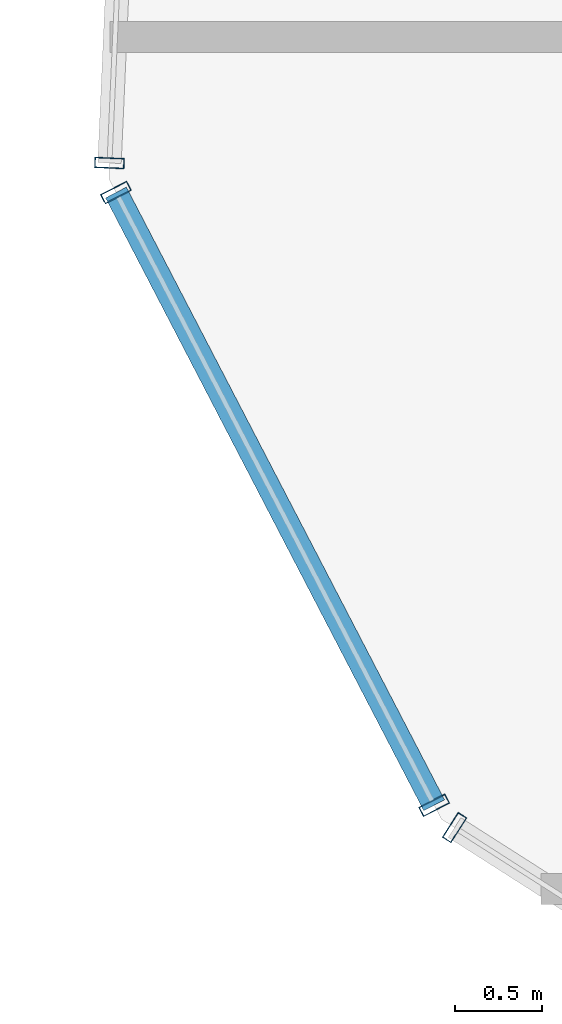
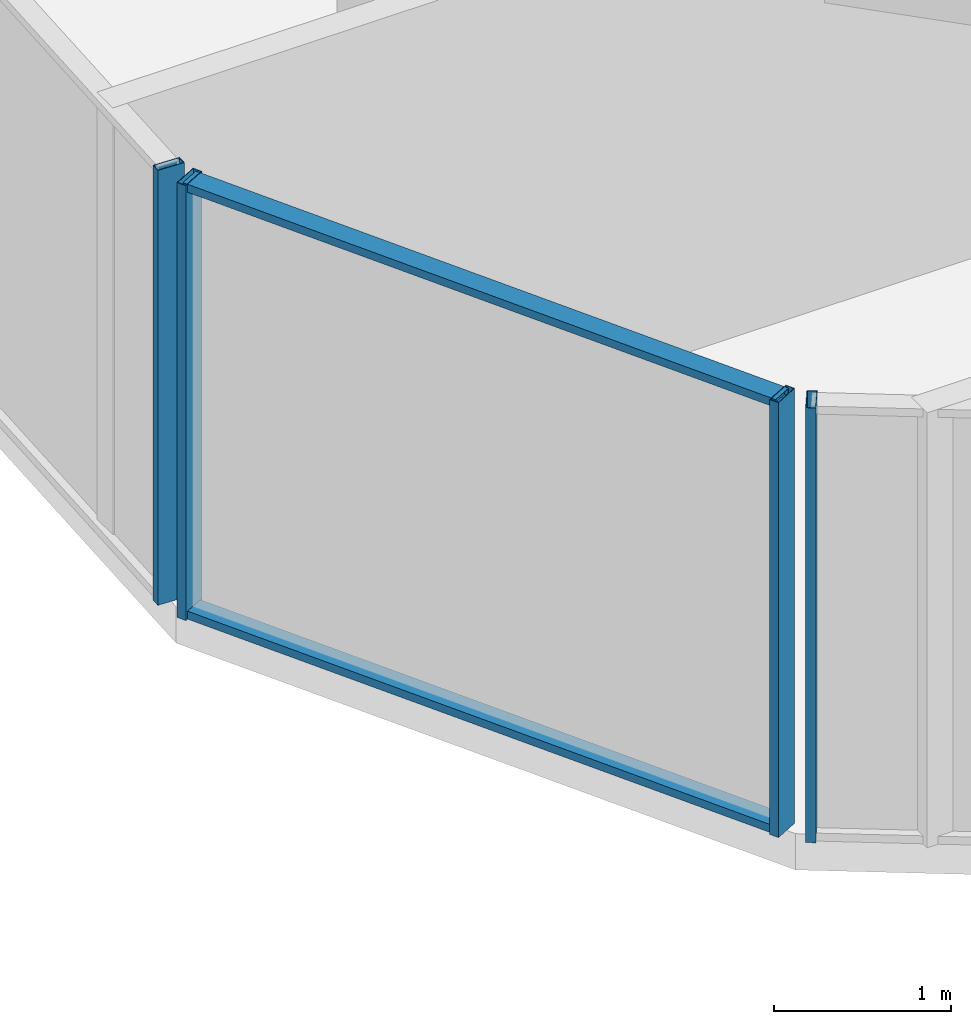
# One storey, part 4 of 30: 6 members, 3 elements without a shape of their own.
"""IFC4 building model written with IfcOpenShell, lengths in metres."""

from ifc_helpers import new_model, si_unit, direction, frame, origin, origin_2d, place, context, subcontext, project, spatial, hollow_rectangle, extrude, source, transform, mapped, material, layer, layer_set, material_profile, profile_set, type_object, element, aggregate, save


model = new_model("IFC4")

# Units and contexts
model_context = context("Model", 3, precision=1e-05, world=origin(), true_north=direction((0.0, 1.0)))
body_context = subcontext(model_context, "Body", "Model", "MODEL_VIEW")
ifc_project = project(units=[si_unit("LENGTHUNIT", "METRE"), si_unit("AREAUNIT", "SQUARE_METRE"), si_unit("VOLUMEUNIT", "CUBIC_METRE"), si_unit("PLANEANGLEUNIT", "RADIAN"), si_unit("MASSUNIT", "GRAM", prefix="KILO")], contexts=[model_context])

# Site, building, storey
site_placement = place(None, origin())
site = spatial("IfcSite", under=ifc_project, at=site_placement, CompositionType="ELEMENT")
building_placement = place(site_placement, origin())
building = spatial("IfcBuilding", under=site, at=building_placement, Name="Veraguas Prism Commons", CompositionType="ELEMENT")
storey_placement = place(building_placement, frame((0.0, 0.0, 119.75)))
storey = spatial("IfcBuildingStorey", under=building, at=storey_placement, Name="L33", CompositionType="ELEMENT", Elevation=119.75)

# Curtain wall, member
ifc_material = material(Name="Anodised aluminium EN AW-6063 T6", Category="aluminium")
ifc_layer = layer(ifc_material, 0.169921875, Name="Unitised Flush Curtain Wall Zone 2", Category="aluminium")
ifc_layer_set = layer_set([ifc_layer], Name="Anodised aluminium EN AW-6063 T6")
curtain_wall_type = type_object("IfcCurtainWallType", Name="Unitised Flush Curtain Wall Zone 2", PredefinedType="NOTDEFINED", material=ifc_layer_set)
curtain_wall_1_placement = place(storey_placement, origin())
curtain_wall_1 = element("IfcCurtainWall", 1, at=curtain_wall_1_placement, inside=storey, type_object=curtain_wall_type, Name="Tower Facade Curtain Wall L33-F3", PredefinedType="NOTDEFINED")
ifc_material_profile_1 = material_profile(ifc_material, hollow_rectangle(XDim=0.06005859375, YDim=0.169921875, WallThickness=0.00390625, at=origin_2d()), Name="AL60X170X4")
ifc_profile_set_1 = profile_set([ifc_material_profile_1], Name="Anodised aluminium EN AW-6063 T6")
member_type_1 = type_object("IfcMemberType", Name="Curtain Wall Mullion Lower AL 60x170x4", PredefinedType="MULLION", material=ifc_profile_set_1)
shared_shape_1 = source(origin(), body_context, "Body", "SweptSolid", [
    extrude(hollow_rectangle(XDim=0.06005859375, YDim=0.169921875, WallThickness=0.00390625, at=origin_2d()), origin(), (0.0, 0.0, 1.0), 3.0),
])
member_1_placement = place(storey_placement, frame((4.453125, 16.278076171875, 0.0), z_axis=(0.0, 0.0, 1.0), x_axis=(-0.044667307696, -0.999001917728, 0.0)))
member_1 = element("IfcMember", 2, at=member_1_placement, type_object=member_type_1, Name="CW-Z2 Mullion 5", PredefinedType="MULLION", context=body_context, shape_type="MappedRepresentation", body=[
    mapped(shared_shape_1, transform((0.0, 0.0, 0.0), scale=1.0)),
])
aggregate(curtain_wall_1, [member_1])

curtain_wall_2_placement = place(storey_placement, origin())
curtain_wall_2 = element("IfcCurtainWall", 3, at=curtain_wall_2_placement, inside=storey, type_object=curtain_wall_type, Name="Tower Facade Curtain Wall L33-F4", PredefinedType="NOTDEFINED")
member_2_placement = place(storey_placement, frame((6.43896484375, 12.453857421875, 0.0), z_axis=(0.0, 0.0, 1.0), x_axis=(0.842827385334, -0.538183982047, 0.0)))
member_2 = element("IfcMember", 4, at=member_2_placement, type_object=member_type_1, Name="CW-Z2 Mullion 1", PredefinedType="MULLION", context=body_context, shape_type="MappedRepresentation", body=[
    mapped(shared_shape_1, transform((0.0, 0.0, 0.0), scale=1.0)),
])
aggregate(curtain_wall_2, [member_2])

# Curtain wall, members
curtain_wall_3_placement = place(storey_placement, origin())
curtain_wall_3 = element("IfcCurtainWall", 5, at=curtain_wall_3_placement, inside=storey, type_object=curtain_wall_type, Name="Chamfer Curtain Wall L33-C4", PredefinedType="NOTDEFINED")
member_3_placement = place(storey_placement, frame((4.490478515625, 16.1083984375, 0.0), z_axis=(0.0, 0.0, 1.0), x_axis=(0.460838072178, -0.887484237173, 0.0)))
member_3 = element("IfcMember", 6, at=member_3_placement, type_object=member_type_1, Name="CW-Z2 Mullion 1", PredefinedType="MULLION", context=body_context, shape_type="MappedRepresentation", body=[
    mapped(shared_shape_1, transform((0.0, 0.0, 0.0), scale=1.0)),
])
member_4_placement = place(storey_placement, frame((6.321533203125, 12.582275390625, 0.0), z_axis=(0.0, 0.0, 1.0), x_axis=(0.460838072178, -0.887484237173, 0.0)))
member_4 = element("IfcMember", 7, at=member_4_placement, type_object=member_type_1, Name="CW-Z2 Mullion 2", PredefinedType="MULLION", context=body_context, shape_type="MappedRepresentation", body=[
    mapped(shared_shape_1, transform((0.0, 0.0, 0.0), scale=1.0)),
])
ifc_material_profile_2 = material_profile(ifc_material, hollow_rectangle(XDim=0.054931640625, YDim=0.135009765625, WallThickness=0.0029296875, at=origin_2d()), Name="AL55X135X3")
ifc_profile_set_2 = profile_set([ifc_material_profile_2], Name="Anodised aluminium EN AW-6063 T6")
member_type_2 = type_object("IfcMemberType", Name="Curtain Wall Transom Standard AL 55x135x3", PredefinedType="USERDEFINED", material=ifc_profile_set_2)
shared_shape_2 = source(origin(), body_context, "Body", "SweptSolid", [
    extrude(hollow_rectangle(XDim=0.054931640625, YDim=0.135009765625, WallThickness=0.0029296875, at=origin_2d()), origin(), (0.0, 0.0, 1.0), 3.97314453125),
])
member_5_placement = place(storey_placement, frame((4.490478515625, 16.1083984375, 0.027587890625), z_axis=(0.460851569203, -0.887477228532, 0.0), x_axis=(0.0, 0.0, 1.0)))
member_5 = element("IfcMember", 8, at=member_5_placement, type_object=member_type_2, Name="CW-Z2 Transom 1", ObjectType="TRANSOM", PredefinedType="USERDEFINED", context=body_context, shape_type="MappedRepresentation", body=[
    mapped(shared_shape_2, transform((0.0, 0.0, 0.0), scale=1.0)),
])
member_6_placement = place(storey_placement, frame((4.490478515625, 16.1083984375, 2.972412109375), z_axis=(0.460851569203, -0.887477228532, 0.0), x_axis=(0.0, 0.0, 1.0)))
member_6 = element("IfcMember", 9, at=member_6_placement, type_object=member_type_2, Name="CW-Z2 Transom 2", ObjectType="TRANSOM", PredefinedType="USERDEFINED", context=body_context, shape_type="MappedRepresentation", body=[
    mapped(shared_shape_2, transform((0.0, 0.0, 0.0), scale=1.0)),
])
aggregate(curtain_wall_3, [member_3, member_4, member_5, member_6])

save(model, "model.ifc")
